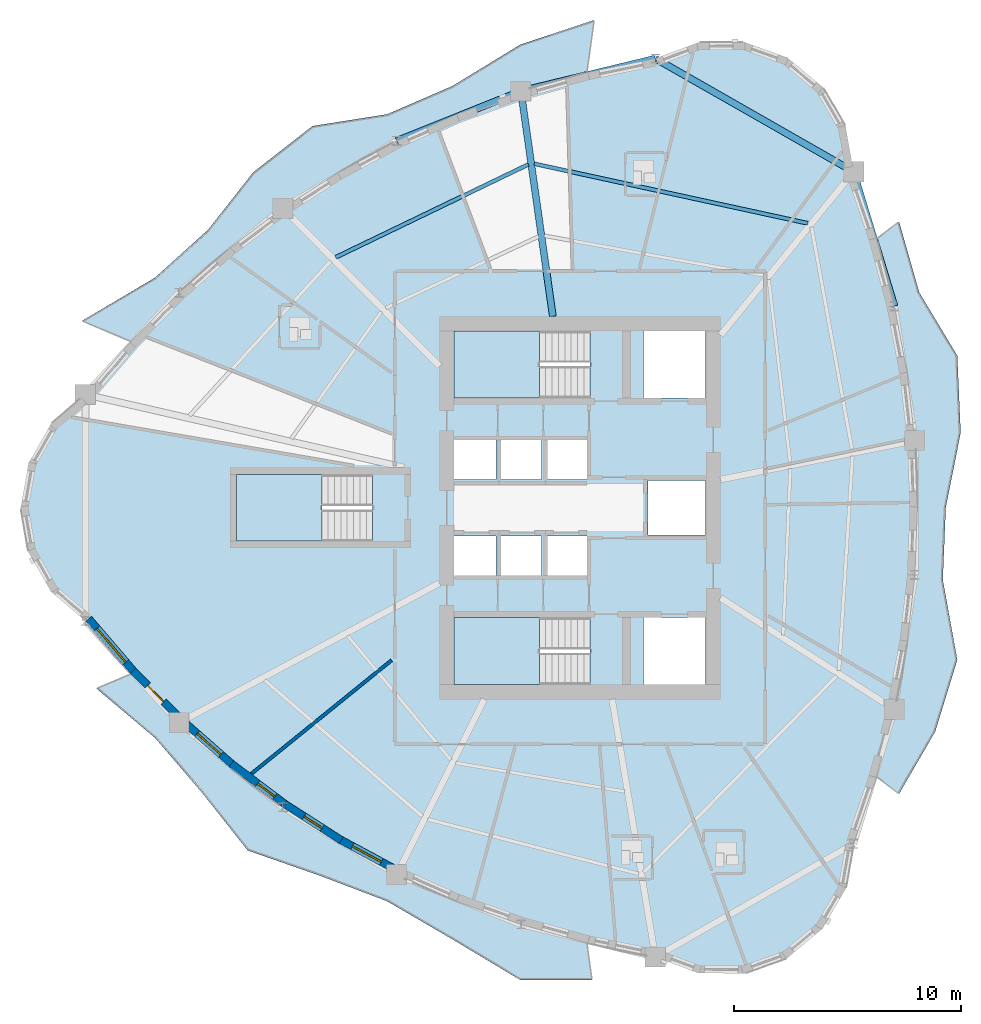
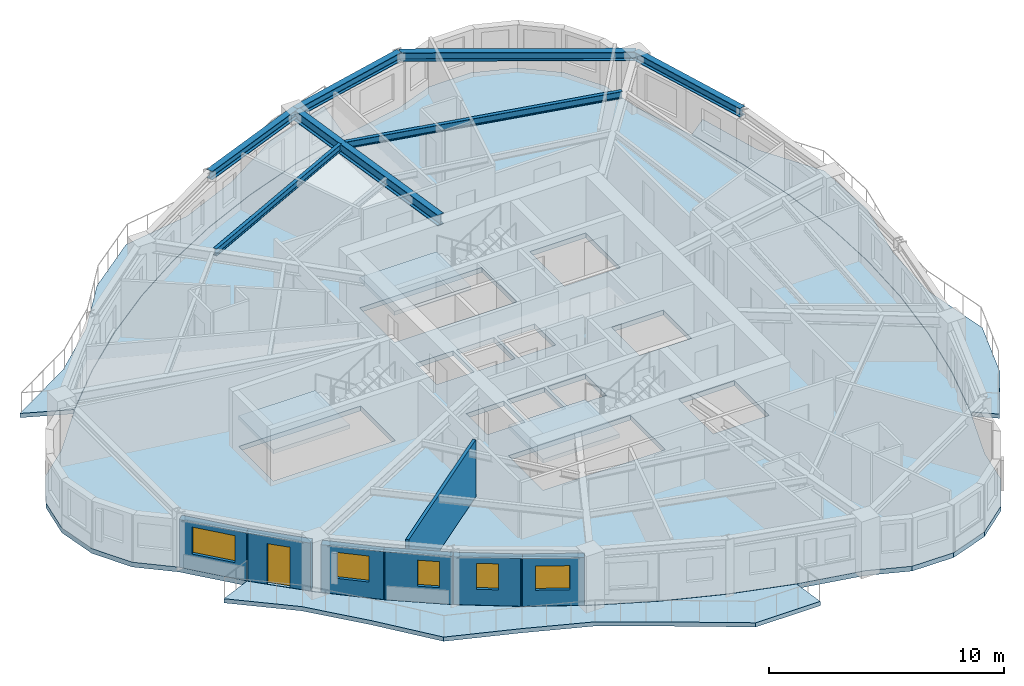
# One storey, part 2 of 12: 7 beams, 7 slabs, 7 walls, 5 windows, 1 door, 6 openings, 3 elements without a shape of their own.
"""IFC4 building model written with IfcOpenShell, lengths in metres."""

from ifc_helpers import new_model, si_unit, direction, frame, frame_2d, origin, origin_2d, place, context, subcontext, project, spatial, polyline, rectangle, i_section, outline, extrude, source, transform, mapped, material, layer, layer_set, material_profile, profile_set, type_object, element, fill, aggregate, save


model = new_model("IFC4")

# Units and contexts
model_context = context("Model", 3, precision=1e-05, world=origin(), true_north=direction((0.0, 1.0)))
body_context = subcontext(model_context, "Body", "Model", "MODEL_VIEW")
ifc_project = project(units=[si_unit("LENGTHUNIT", "METRE"), si_unit("AREAUNIT", "SQUARE_METRE"), si_unit("VOLUMEUNIT", "CUBIC_METRE"), si_unit("PLANEANGLEUNIT", "RADIAN"), si_unit("MASSUNIT", "GRAM", prefix="KILO")], contexts=[model_context])

# Site, building, storey
site_placement = place(None, origin())
site = spatial("IfcSite", under=ifc_project, at=site_placement, CompositionType="ELEMENT")
building_placement = place(site_placement, origin())
building = spatial("IfcBuilding", under=site, at=building_placement, Name="Qafzar Sky-Pleat Residences", CompositionType="ELEMENT")
storey_placement = place(building_placement, frame((0.0, 0.0, 121.60009765625)))
storey = spatial("IfcBuildingStorey", under=building, at=storey_placement, Name="L36", CompositionType="ELEMENT", Elevation=121.60009765625)

# Beams
ifc_material_1 = material(Name="Steel S355", Category="steel")
ifc_material_profile_1 = material_profile(ifc_material_1, i_section(OverallWidth=0.300048828125, OverallDepth=0.449951171875, WebThickness=0.013916015625, FlangeThickness=0.02587890625, FilletRadius=0.027099609375, at=origin_2d()), Name="HEB 450")
ifc_profile_set_1 = profile_set([ifc_material_profile_1], Name="Steel S355")
beam_type_1 = type_object("IfcBeamType", Name="BM-SPAN-HEB450", PredefinedType="SPANDREL", material=ifc_profile_set_1)
shared_shape_1 = source(origin(), body_context, "Body", "SweptSolid", [
    extrude(i_section(OverallWidth=0.300048828125, OverallDepth=0.449951171875, WebThickness=0.013916015625, FlangeThickness=0.02587890625, FilletRadius=0.027099609375, at=origin_2d()), origin(), (0.0, 0.0, 1.0), 6.1025390625),
])
beam_1_placement = place(storey_placement, frame((33.6767578125, 45.82373046875, 2.722900390625), z_axis=(-0.971900047669, -0.235393919506, 0.0), x_axis=(0.235393919506, -0.971900047669, 0.0)))
element("IfcBeam", 1, at=beam_1_placement, inside=storey, type_object=beam_type_1, Name="L36 Perimeter Spandrel Beam 14", PredefinedType="SPANDREL", context=body_context, shape_type="MappedRepresentation", body=[
    mapped(shared_shape_1, transform((0.0, 0.0, 0.0), x_axis=(1.0, 0.0, 0.0), y_axis=(0.0, 1.0, 0.0), z_axis=(0.0, 0.0, 1.0), scale=1.0)),
])
shared_shape_2 = source(origin(), body_context, "Body", "SweptSolid", [
    extrude(i_section(OverallWidth=0.300048828125, OverallDepth=0.449951171875, WebThickness=0.013916015625, FlangeThickness=0.02587890625, FilletRadius=0.027099609375, at=origin_2d()), origin(), (0.0, 0.0, 1.0), 5.906005859375),
])
beam_2_placement = place(storey_placement, frame((27.74560546875, 44.38720703125, 2.722900390625), z_axis=(-0.927965498351, -0.372666115807, 0.0), x_axis=(0.372666115807, -0.927965498351, 0.0)))
element("IfcBeam", 2, at=beam_2_placement, inside=storey, type_object=beam_type_1, Name="L36 Perimeter Spandrel Beam 15", PredefinedType="SPANDREL", context=body_context, shape_type="MappedRepresentation", body=[
    mapped(shared_shape_2, transform((0.0, 0.0, 0.0), x_axis=(1.0, 0.0, 0.0), y_axis=(0.0, 1.0, 0.0), z_axis=(0.0, 0.0, 1.0), scale=1.0)),
])
shared_shape_3 = source(origin(), body_context, "Body", "SweptSolid", [
    extrude(i_section(OverallWidth=0.300048828125, OverallDepth=0.449951171875, WebThickness=0.013916015625, FlangeThickness=0.02587890625, FilletRadius=0.027099609375, at=origin_2d()), origin(), (0.0, 0.0, 1.0), 10.072265625),
])
beam_3_placement = place(storey_placement, frame((42.422607421875, 40.82763671875, 2.722900390625), z_axis=(-0.868308765909, 0.496024079099, 0.0), x_axis=(-0.496024079099, -0.868308765909, 0.0)))
element("IfcBeam", 3, at=beam_3_placement, inside=storey, type_object=beam_type_1, Name="L36 Perimeter Spandrel Beam 13", PredefinedType="SPANDREL", context=body_context, shape_type="MappedRepresentation", body=[
    mapped(shared_shape_3, transform((0.0, 0.0, 0.0), x_axis=(1.0, 0.0, 0.0), y_axis=(0.0, 1.0, 0.0), z_axis=(0.0, 0.0, 1.0), scale=1.0)),
])
shared_shape_4 = source(origin(), body_context, "Body", "SweptSolid", [
    extrude(i_section(OverallWidth=0.300048828125, OverallDepth=0.449951171875, WebThickness=0.013916015625, FlangeThickness=0.02587890625, FilletRadius=0.027099609375, at=origin_2d()), origin(), (0.0, 0.0, 1.0), 6.19921875),
])
beam_4_placement = place(storey_placement, frame((44.2255859375, 34.896484375, 2.722900390625), z_axis=(-0.290843469518, 0.956770649758, 0.0), x_axis=(-0.956770649758, -0.290843469518, 0.0)))
element("IfcBeam", 4, at=beam_4_placement, inside=storey, type_object=beam_type_1, Name="L36 Perimeter Spandrel Beam 12", PredefinedType="SPANDREL", context=body_context, shape_type="MappedRepresentation", body=[
    mapped(shared_shape_4, transform((0.0, 0.0, 0.0), x_axis=(1.0, 0.0, 0.0), y_axis=(0.0, 1.0, 0.0), z_axis=(0.0, 0.0, 1.0), scale=1.0)),
])
ifc_material_profile_2 = material_profile(ifc_material_1, i_section(OverallWidth=0.300048828125, OverallDepth=0.550048828125, WebThickness=0.014892578125, FlangeThickness=0.029052734375, FilletRadius=0.027099609375, at=origin_2d()), Name="HEB 550")
ifc_profile_set_2 = profile_set([ifc_material_profile_2], Name="Steel S355")
beam_type_2 = type_object("IfcBeamType", Name="BM-GIRD-HEB550", PredefinedType="BEAM", material=ifc_profile_set_2)
shared_shape_5 = source(origin(), body_context, "Body", "SweptSolid", [
    extrude(i_section(OverallWidth=0.300048828125, OverallDepth=0.550048828125, WebThickness=0.014892578125, FlangeThickness=0.029052734375, FilletRadius=0.027099609375, at=origin_2d()), origin(), (0.0, 0.0, 1.0), 10.036376953125),
])
beam_5_placement = place(storey_placement, frame((27.74560546875, 44.38720703125, 2.6728515625), z_axis=(0.14023611981, -0.99011808927, 0.0), x_axis=(0.99011808927, 0.14023611981, 0.0)))
element("IfcBeam", 5, at=beam_5_placement, inside=storey, type_object=beam_type_2, Name="L36 Radial Floor Girder 15", PredefinedType="BEAM", context=body_context, shape_type="MappedRepresentation", body=[
    mapped(shared_shape_5, transform((0.0, 0.0, 0.0), x_axis=(1.0, 0.0, 0.0), y_axis=(0.0, 1.0, 0.0), z_axis=(0.0, 0.0, 1.0), scale=1.0)),
])
ifc_material_profile_3 = material_profile(ifc_material_1, i_section(OverallWidth=0.169921875, OverallDepth=0.360107421875, WebThickness=0.008056640625, FlangeThickness=0.0126953125, FilletRadius=0.01806640625, at=origin_2d()), Name="IPE 360")
ifc_profile_set_3 = profile_set([ifc_material_profile_3], Name="Steel S355")
beam_type_3 = type_object("IfcBeamType", Name="BM-JST-IPE360", PredefinedType="JOIST", material=ifc_profile_set_3)
shared_shape_6 = source(origin(), body_context, "Body", "SweptSolid", [
    extrude(i_section(OverallWidth=0.169921875, OverallDepth=0.360107421875, WebThickness=0.008056640625, FlangeThickness=0.0126953125, FilletRadius=0.01806640625, at=origin_2d()), origin(), (0.0, 0.0, 1.0), 12.366455078125),
])
beam_6_placement = place(storey_placement, frame((40.411376953125, 38.54833984375, 2.767822265625), z_axis=(-0.977117170905, 0.212701749694, 0.0), x_axis=(-0.212701749694, -0.977117170905, 0.0)))
element("IfcBeam", 6, at=beam_6_placement, inside=storey, type_object=beam_type_3, Name="L36 Outer Secondary Floor Joist 7", PredefinedType="JOIST", context=body_context, shape_type="MappedRepresentation", body=[
    mapped(shared_shape_6, transform((0.0, 0.0, 0.0), x_axis=(1.0, 0.0, 0.0), y_axis=(0.0, 1.0, 0.0), z_axis=(0.0, 0.0, 1.0), scale=1.0)),
])
shared_shape_7 = source(origin(), body_context, "Body", "SweptSolid", [
    extrude(i_section(OverallWidth=0.169921875, OverallDepth=0.360107421875, WebThickness=0.008056640625, FlangeThickness=0.0126953125, FilletRadius=0.01806640625, at=origin_2d()), origin(), (0.0, 0.0, 1.0), 9.441162109375),
])
beam_7_placement = place(storey_placement, frame((28.07421875, 41.148681640625, 2.767822265625), z_axis=(-0.900788551734, -0.43425797064, 0.0), x_axis=(0.43425797064, -0.900788551734, 0.0)))
element("IfcBeam", 7, at=beam_7_placement, inside=storey, type_object=beam_type_3, Name="L36 Outer Secondary Floor Joist 8", PredefinedType="JOIST", context=body_context, shape_type="MappedRepresentation", body=[
    mapped(shared_shape_7, transform((0.0, 0.0, 0.0), x_axis=(1.0, 0.0, 0.0), y_axis=(0.0, 1.0, 0.0), z_axis=(0.0, 0.0, 1.0), scale=1.0)),
])

# Slabs
ifc_material_2 = material(Name="Concrete C40/50", Category="concrete")
ifc_layer_1 = layer(ifc_material_2, 0.219970703125)
ifc_layer_set_1 = layer_set([ifc_layer_1], Name="Concrete C40/50")
slab_type_1 = type_object("IfcSlabType", Name="SLAB-BAL-220", PredefinedType="USERDEFINED", material=ifc_layer_set_1)
slab_1_placement = place(storey_placement, frame((0.0, 0.0, -0.22021484375)))
element("IfcSlab", 8, at=slab_1_placement, inside=storey, type_object=slab_type_1, Name="L36 Pleated Stone Balcony 1", ObjectType="BALCONY", PredefinedType="USERDEFINED", context=body_context, shape_type="SweptSolid", body=[
    extrude(outline(polyline([(44.236083984375, 17.09765625), (44.80029296875, 20.06494140625), (45.138916015625, 23.032470703125), (45.251708984375, 26.0), (45.138916015625, 28.967529296875), (44.80029296875, 31.93505859375), (44.236083984375, 34.90234375), (43.4462890625, 37.869384765625), (44.427978515625, 38.623779296875), (45.321533203125, 35.49755859375), (46.998046875, 32.71142578125), (47.14697265625, 29.315185546875), (46.48974609375, 26.0), (46.35888671875, 22.8212890625), (46.998046875, 19.28857421875), (46.02294921875, 16.117919921875), (44.427978515625, 13.376220703125), (43.4462890625, 14.130615234375), (44.236083984375, 17.09765625)])), origin(), (0.0, 0.0, 1.0), 0.22021484375),
])
slab_2_placement = place(storey_placement, frame((0.0, 0.0, -0.22021484375)))
element("IfcSlab", 9, at=slab_2_placement, inside=storey, type_object=slab_type_1, Name="L36 Pleated Stone Balcony 2", ObjectType="BALCONY", PredefinedType="USERDEFINED", context=body_context, shape_type="SweptSolid", body=[
    extrude(outline(polyline([(27.745361328125, 44.3994140625), (24.947021484375, 43.394287109375), (22.26123046875, 42.197509765625), (19.68798828125, 40.8095703125), (17.22802734375, 39.22998046875), (14.880859375, 37.459228515625), (12.646484375, 35.4970703125), (10.525390625, 33.343505859375), (8.376708984375, 34.24658203125), (11.59375, 36.148193359375), (13.948486328125, 38.273681640625), (15.94140625, 40.810546875), (18.54736328125, 42.842041015625), (21.847900390625, 43.364501953125), (24.73291015625, 44.613525390625), (27.717041015625, 46.43701171875), (30.9755859375, 47.521728515625), (30.656494140625, 45.212890625), (27.745361328125, 44.3994140625)])), origin(), (0.0, 0.0, 1.0), 0.22021484375),
])
slab_3_placement = place(storey_placement, frame((0.0, 0.0, -0.22021484375)))
element("IfcSlab", 10, at=slab_3_placement, inside=storey, type_object=slab_type_1, Name="L36 Pleated Stone Balcony 3", ObjectType="BALCONY", PredefinedType="USERDEFINED", context=body_context, shape_type="SweptSolid", body=[
    extrude(outline(polyline([(12.646484375, 16.5029296875), (14.880859375, 14.540771484375), (17.22802734375, 12.77001953125), (19.68798828125, 11.1904296875), (22.26123046875, 9.802490234375), (24.947021484375, 8.605712890625), (27.745361328125, 7.6005859375), (30.656494140625, 6.787109375), (30.880859375, 5.164306640625), (27.711669921875, 5.162841796875), (24.663818359375, 6.992431640625), (21.847900390625, 8.635498046875), (18.886474609375, 9.761962890625), (15.688720703125, 10.87939453125), (13.647216796875, 13.463134765625), (11.59375, 15.851806640625), (9.015380859375, 18.021728515625), (10.525390625, 18.656494140625), (12.646484375, 16.5029296875)])), origin(), (0.0, 0.0, 1.0), 0.22021484375),
])
ifc_layer_2 = layer(ifc_material_2, 0.25)
ifc_layer_set_2 = layer_set([ifc_layer_2], Name="Concrete C40/50")
slab_type_2 = type_object("IfcSlabType", Name="SLAB-FLR-250", PredefinedType="FLOOR", material=ifc_layer_set_2)
slab_4_placement = place(storey_placement, frame((0.0, 0.0, -0.25)))
element("IfcSlab", 11, at=slab_4_placement, inside=storey, type_object=slab_type_2, Name="L36 Structural Floor Slab", PredefinedType="FLOOR", context=body_context, shape_type="SweptSolid", body=[
    extrude(outline(polyline([(8.52880859375, 30.99609375), (7.0087890625, 29.700927734375), (6.018310546875, 27.967041015625), (5.674560546875, 26.0), (6.018310546875, 24.032958984375), (7.0087890625, 22.299072265625), (8.52880859375, 21.00390625), (10.536376953125, 18.660888671875), (12.65673828125, 16.50927734375), (14.889892578125, 14.548583984375), (17.235595703125, 12.779296875), (19.694091796875, 11.200927734375), (22.26513671875, 9.813720703125), (24.948974609375, 8.61767578125), (27.74560546875, 7.61279296875), (30.65478515625, 6.798828125), (33.6767578125, 6.17626953125), (35.57177734375, 5.46826171875), (37.5947265625, 5.45458984375), (39.49951171875, 6.13623046875), (41.05419921875, 7.4306640625), (42.069580078125, 9.180419921875), (42.422607421875, 11.17236328125), (43.436767578125, 14.137939453125), (44.2255859375, 17.103515625), (44.7890625, 20.06884765625), (45.127197265625, 23.034423828125), (45.23974609375, 26.0), (45.127197265625, 28.965576171875), (44.7890625, 31.93115234375), (44.2255859375, 34.896484375), (43.436767578125, 37.862060546875), (42.422607421875, 40.82763671875), (42.069580078125, 42.819580078125), (41.05419921875, 44.5693359375), (39.49951171875, 45.86376953125), (37.5947265625, 46.54541015625), (35.57177734375, 46.53173828125), (33.6767578125, 45.82373046875), (30.65478515625, 45.201171875), (27.74560546875, 44.38720703125), (24.948974609375, 43.38232421875), (22.26513671875, 42.186279296875), (19.694091796875, 40.799072265625), (17.235595703125, 39.220703125), (14.889892578125, 37.451416015625), (12.65673828125, 35.49072265625), (10.536376953125, 33.339111328125), (8.52880859375, 30.99609375)]), holes=[polyline([(30.797119140625, 21.14990234375), (24.800048828125, 21.14990234375), (24.800048828125, 18.199951171875), (30.797119140625, 18.199951171875), (30.797119140625, 21.14990234375)]), polyline([(30.797119140625, 33.800048828125), (24.800048828125, 33.800048828125), (24.800048828125, 30.85009765625), (30.797119140625, 30.85009765625), (30.797119140625, 33.800048828125)]), polyline([(21.197021484375, 27.47509765625), (15.199951171875, 27.47509765625), (15.199951171875, 24.52490234375), (21.197021484375, 24.52490234375), (21.197021484375, 27.47509765625)]), polyline([(24.800048828125, 22.949951171875), (26.64990234375, 22.949951171875), (26.64990234375, 24.75), (24.800048828125, 24.75), (24.800048828125, 22.949951171875)]), polyline([(26.800048828125, 22.949951171875), (28.64990234375, 22.949951171875), (28.64990234375, 24.75), (26.800048828125, 24.75), (26.800048828125, 22.949951171875)]), polyline([(28.800048828125, 22.949951171875), (30.64990234375, 22.949951171875), (30.64990234375, 24.75), (28.800048828125, 24.75), (28.800048828125, 22.949951171875)]), polyline([(24.800048828125, 27.25), (26.64990234375, 27.25), (26.64990234375, 29.050048828125), (24.800048828125, 29.050048828125), (24.800048828125, 27.25)]), polyline([(26.800048828125, 27.25), (28.64990234375, 27.25), (28.64990234375, 29.050048828125), (26.800048828125, 29.050048828125), (26.800048828125, 27.25)]), polyline([(28.800048828125, 27.25), (30.64990234375, 27.25), (30.64990234375, 29.050048828125), (28.800048828125, 29.050048828125), (28.800048828125, 27.25)]), polyline([(33.14990234375, 18.199951171875), (35.89990234375, 18.199951171875), (35.89990234375, 21.14990234375), (33.14990234375, 21.14990234375), (33.14990234375, 18.199951171875)]), polyline([(33.14990234375, 30.85009765625), (35.89990234375, 30.85009765625), (35.89990234375, 33.800048828125), (33.14990234375, 33.800048828125), (33.14990234375, 30.85009765625)]), polyline([(33.35009765625, 24.800048828125), (35.89990234375, 24.800048828125), (35.89990234375, 27.199951171875), (33.35009765625, 27.199951171875), (33.35009765625, 24.800048828125)])]), origin(), (0.0, 0.0, 1.0), 0.25),
])

# Stair, slab
stair_type = type_object("IfcStairType", Name="STAIR-H320", PredefinedType="HALF_TURN_STAIR", material=ifc_material_2)
stair_1_placement = place(storey_placement, origin())
stair_1 = element("IfcStair", 12, at=stair_1_placement, inside=storey, type_object=stair_type, Name="L36 Protected Exit Stair ST1", PredefinedType="HALF_TURN_STAIR")
ifc_layer_3 = layer(ifc_material_2, 0.199951171875)
ifc_layer_set_3 = layer_set([ifc_layer_3], Name="Concrete C40/50")
slab_type_3 = type_object("IfcSlabType", Name="SLAB-LANDING-200", PredefinedType="LANDING", material=ifc_layer_set_3)
slab_5_placement = place(storey_placement, frame((0.0, 0.0, 1.39990234375)))
slab_5 = element("IfcSlab", 13, at=slab_5_placement, type_object=slab_type_3, Name="ST1 landing 1", PredefinedType="LANDING", context=body_context, shape_type="SweptSolid", body=[
    extrude(outline(polyline([(28.56005859375, 21.14990234375), (24.800048828125, 21.14990234375), (24.800048828125, 18.199951171875), (28.56005859375, 18.199951171875), (28.56005859375, 21.14990234375)])), origin(), (0.0, 0.0, 1.0), 0.199951171875),
])
aggregate(stair_1, [slab_5])

stair_2_placement = place(storey_placement, origin())
stair_2 = element("IfcStair", 14, at=stair_2_placement, inside=storey, type_object=stair_type, Name="L36 Protected Exit Stair ST2", PredefinedType="HALF_TURN_STAIR")
slab_6_placement = place(storey_placement, frame((0.0, 0.0, 1.39990234375)))
slab_6 = element("IfcSlab", 15, at=slab_6_placement, type_object=slab_type_3, Name="ST2 landing 1", PredefinedType="LANDING", context=body_context, shape_type="SweptSolid", body=[
    extrude(outline(polyline([(28.56005859375, 33.800048828125), (24.800048828125, 33.800048828125), (24.800048828125, 30.85009765625), (28.56005859375, 30.85009765625), (28.56005859375, 33.800048828125)])), origin(), (0.0, 0.0, 1.0), 0.199951171875),
])
aggregate(stair_2, [slab_6])

stair_3_placement = place(storey_placement, origin())
stair_3 = element("IfcStair", 16, at=stair_3_placement, inside=storey, type_object=stair_type, Name="L36 Protected Exit Stair ST3", PredefinedType="HALF_TURN_STAIR")
slab_7_placement = place(storey_placement, frame((0.0, 0.0, 1.39990234375)))
slab_7 = element("IfcSlab", 17, at=slab_7_placement, type_object=slab_type_3, Name="ST3 landing 1", PredefinedType="LANDING", context=body_context, shape_type="SweptSolid", body=[
    extrude(outline(polyline([(18.9599609375, 27.47509765625), (15.199951171875, 27.47509765625), (15.199951171875, 24.52490234375), (18.9599609375, 24.52490234375), (18.9599609375, 27.47509765625)])), origin(), (0.0, 0.0, 1.0), 0.199951171875),
])
aggregate(stair_3, [slab_7])

# Wall
ifc_material_3 = material(Name="Acoustic gypsum plasterboard partition", Category="gypsum")
ifc_layer_4 = layer(ifc_material_3, 0.14501953125)
ifc_layer_set_4 = layer_set([ifc_layer_4], Name="Acoustic gypsum plasterboard partition")
wall_type_1 = type_object("IfcWallType", Name="PART-UNIT-145", PredefinedType="PARTITIONING", material=ifc_layer_set_4)
wall_1_placement = place(storey_placement, frame((15.86328125, 14.27197265625, 0.0), z_axis=(0.0, 0.0, 1.0), x_axis=(0.77720694169, 0.629245079273, 0.0)))
element("IfcWall", 18, at=wall_1_placement, inside=storey, type_object=wall_type_1, Name="L36 Partition Wall PART-L36-PW-025", PredefinedType="PARTITIONING", context=body_context, shape_type="SweptSolid", body=[
    extrude(rectangle(XDim=7.94482421875, YDim=0.14501953125, at=frame_2d((3.972412109375, 0.0))), origin(), (0.0, 0.0, 1.0), 2.949951171875),
])

# Wall, opening, window
ifc_material_4 = material(Name="Precast concrete C40/50 with honed Riyadh limestone", Category="concrete")
ifc_layer_5 = layer(ifc_material_4, 0.340087890625)
ifc_layer_set_5 = layer_set([ifc_layer_5], Name="Precast concrete C40/50 with honed Riyadh limestone")
wall_type_2 = type_object("IfcWallType", Name="WALL-EXT-340", PredefinedType="SOLIDWALL", material=ifc_layer_set_5)
wall_2_placement = place(storey_placement, frame((8.6708984375, 21.09912109375, 0.0), z_axis=(0.0, 0.0, 1.0), x_axis=(0.65073305839, -0.759306582823, 0.0)))
wall_2 = element("IfcWall", 19, at=wall_2_placement, inside=storey, type_object=wall_type_2, Name="L36 Limestone Facade Wall 7", PredefinedType="SOLIDWALL", context=body_context, shape_type="SweptSolid", body=[
    extrude(rectangle(XDim=3.10302734375, YDim=0.340087890625, at=frame_2d((1.551513671875, 0.0))), origin(), (0.0, 0.0, 1.0), 2.47998046875),
])
opening_1_placement = place(wall_2_placement, frame((0.566650390625, 0.0, 0.820068359375)))
opening_1 = element("IfcOpeningElement", 20, at=opening_1_placement, cuts=wall_2, Name="Opening WN-08", PredefinedType="OPENING", context=body_context, shape_type="SweptSolid", body=[
    extrude(rectangle(XDim=1.949951171875, YDim=1.39990234375, at=frame_2d((0.97509765625, 0.699951171875))), frame((0.0, 0.18017578125, 0.0), z_axis=(0.0, -1.0, 0.0), x_axis=(1.0, 0.0, 0.0)), (0.0, 0.0, 1.0), 0.360107421875),
])
ifc_material_5 = material(Name="Solar-control low-E glass in bronze aluminium frame", Category="glass")
window_type_1 = type_object("IfcWindowType", Name="WIN-08", PartitioningType="DOUBLE_PANEL_VERTICAL", PredefinedType="WINDOW", material=ifc_material_5)
shared_shape_8 = source(origin(), body_context, "Body", "SweptSolid", [
    extrude(rectangle(XDim=1.949951171875, YDim=1.39990234375, at=frame_2d((0.97509765625, 0.699951171875))), frame((0.0, 0.030029296875, 0.0), z_axis=(0.0, -1.0, 0.0), x_axis=(1.0, 0.0, 0.0)), (0.0, 0.0, 1.0), 0.06005859375),
])
window_1_placement = place(opening_1_placement, origin())
window_1 = element("IfcWindow", 21, at=window_1_placement, inside=storey, type_object=window_type_1, Name="L36 Punched Facade Window 07", OverallHeight=1.39990234375, OverallWidth=1.949951171875, PartitioningType="SINGLE_PANEL", PredefinedType="WINDOW", context=body_context, shape_type="MappedRepresentation", body=[
    mapped(shared_shape_8, transform((0.0, 0.0, 0.0), x_axis=(1.0, 0.0, 0.0), y_axis=(0.0, 1.0, 0.0), z_axis=(0.0, 0.0, 1.0), scale=1.0)),
])
fill(opening_1, window_1)

# Wall, opening, door
wall_3_placement = place(storey_placement, frame((10.630859375, 18.807373046875, 0.0), z_axis=(0.0, 0.0, 1.0), x_axis=(0.701909586733, -0.712266054261, 0.0)))
wall_3 = element("IfcWall", 22, at=wall_3_placement, inside=storey, type_object=wall_type_2, Name="L36 Limestone Facade Wall 8", PredefinedType="SOLIDWALL", context=body_context, shape_type="SweptSolid", body=[
    extrude(rectangle(XDim=2.828857421875, YDim=0.340087890625, at=frame_2d((1.41455078125, 0.0))), origin(), (0.0, 0.0, 1.0), 2.47998046875),
])
opening_2_placement = place(wall_3_placement, frame((0.91455078125, 0.0, 0.0)))
opening_2 = element("IfcOpeningElement", 23, at=opening_2_placement, cuts=wall_3, Name="Opening ED-05", PredefinedType="OPENING", context=body_context, shape_type="SweptSolid", body=[
    extrude(rectangle(XDim=1.0, YDim=2.10009765625, at=frame_2d((0.5, 1.050048828125))), frame((0.0, 0.18017578125, 0.0), z_axis=(0.0, -1.0, 0.0), x_axis=(1.0, 0.0, 0.0)), (0.0, 0.0, 1.0), 0.360107421875),
])
ifc_material_6 = material(Name="Glazed bronze aluminium door", Category="aluminium")
door_type = type_object("IfcDoorType", Name="DR-BAL-1000", OperationType="NOTDEFINED", PredefinedType="DOOR", material=ifc_material_6)
shared_shape_9 = source(origin(), body_context, "Body", "SweptSolid", [
    extrude(rectangle(XDim=1.0, YDim=2.10009765625, at=frame_2d((0.5, 1.050048828125))), frame((0.0, 0.02490234375, 0.0), z_axis=(0.0, -1.0, 0.0), x_axis=(1.0, 0.0, 0.0)), (0.0, 0.0, 1.0), 0.050048828125),
])
door_placement = place(opening_2_placement, origin())
door = element("IfcDoor", 24, at=door_placement, inside=storey, type_object=door_type, Name="L36 Glazed Balcony Door 3", OperationType="SINGLE_SWING_LEFT", OverallHeight=2.10009765625, OverallWidth=1.0, PredefinedType="DOOR", context=body_context, shape_type="MappedRepresentation", body=[
    mapped(shared_shape_9, transform((0.0, 0.0, 0.0), x_axis=(1.0, 0.0, 0.0), y_axis=(0.0, 1.0, 0.0), z_axis=(0.0, 0.0, 1.0), scale=1.0)),
])
fill(opening_2, door)

# Wall, opening, window
wall_4_placement = place(storey_placement, frame((12.94189453125, 16.4853515625, 0.0), z_axis=(0.0, 0.0, 1.0), x_axis=(0.751427478967, -0.659815689305, 0.0)))
wall_4 = element("IfcWall", 25, at=wall_4_placement, inside=storey, type_object=wall_type_2, Name="L36 Limestone Facade Wall 9", PredefinedType="SOLIDWALL", context=body_context, shape_type="SweptSolid", body=[
    extrude(rectangle(XDim=2.779541015625, YDim=0.340087890625, at=frame_2d((1.3896484375, 0.0))), origin(), (0.0, 0.0, 1.0), 2.47998046875),
])
opening_3_placement = place(wall_4_placement, frame((0.684814453125, 0.0, 0.820068359375)))
opening_3 = element("IfcOpeningElement", 26, at=opening_3_placement, cuts=wall_4, Name="Opening WN-10", PredefinedType="OPENING", context=body_context, shape_type="SweptSolid", body=[
    extrude(rectangle(XDim=1.39990234375, YDim=1.35009765625, at=frame_2d((0.699951171875, 0.675048828125))), frame((0.0, 0.18017578125, 0.0), z_axis=(0.0, -1.0, 0.0), x_axis=(1.0, 0.0, 0.0)), (0.0, 0.0, 1.0), 0.360107421875),
])
window_type_2 = type_object("IfcWindowType", Name="WIN-10", PartitioningType="SINGLE_PANEL", PredefinedType="WINDOW", material=ifc_material_5)
shared_shape_10 = source(origin(), body_context, "Body", "SweptSolid", [
    extrude(rectangle(XDim=1.39990234375, YDim=1.35009765625, at=frame_2d((0.699951171875, 0.675048828125))), frame((0.0, 0.030029296875, 0.0), z_axis=(0.0, -1.0, 0.0), x_axis=(1.0, 0.0, 0.0)), (0.0, 0.0, 1.0), 0.06005859375),
])
window_2_placement = place(opening_3_placement, origin())
window_2 = element("IfcWindow", 27, at=window_2_placement, inside=storey, type_object=window_type_2, Name="L36 Punched Facade Window 09", OverallHeight=1.35009765625, OverallWidth=1.39990234375, PartitioningType="SINGLE_PANEL", PredefinedType="WINDOW", context=body_context, shape_type="MappedRepresentation", body=[
    mapped(shared_shape_10, transform((0.0, 0.0, 0.0), x_axis=(1.0, 0.0, 0.0), y_axis=(0.0, 1.0, 0.0), z_axis=(0.0, 0.0, 1.0), scale=1.0)),
])
fill(opening_3, window_2)

wall_5_placement = place(storey_placement, frame((14.9619140625, 14.707275390625, 0.0), z_axis=(0.0, 0.0, 1.0), x_axis=(0.798341968257, -0.602204368732, 0.0)))
wall_5 = element("IfcWall", 28, at=wall_5_placement, inside=storey, type_object=wall_type_2, Name="L36 Limestone Facade Wall 10", PredefinedType="SOLIDWALL", context=body_context, shape_type="SweptSolid", body=[
    extrude(rectangle(XDim=2.956298828125, YDim=0.340087890625, at=frame_2d((1.47802734375, 0.0))), origin(), (0.0, 0.0, 1.0), 2.47998046875),
])
opening_4_placement = place(wall_5_placement, frame((1.459716796875, 0.0, 0.820068359375)))
opening_4 = element("IfcOpeningElement", 29, at=opening_4_placement, cuts=wall_5, Name="Opening WN-12", PredefinedType="OPENING", context=body_context, shape_type="SweptSolid", body=[
    extrude(rectangle(XDim=0.949951171875, YDim=1.35009765625, at=frame_2d((0.47509765625, 0.675048828125))), frame((0.0, 0.18017578125, 0.0), z_axis=(0.0, -1.0, 0.0), x_axis=(1.0, 0.0, 0.0)), (0.0, 0.0, 1.0), 0.360107421875),
])
window_type_3 = type_object("IfcWindowType", Name="WIN-12", PartitioningType="SINGLE_PANEL", PredefinedType="WINDOW", material=ifc_material_5)
shared_shape_11 = source(origin(), body_context, "Body", "SweptSolid", [
    extrude(rectangle(XDim=0.949951171875, YDim=1.35009765625, at=frame_2d((0.47509765625, 0.675048828125))), frame((0.0, 0.030029296875, 0.0), z_axis=(0.0, -1.0, 0.0), x_axis=(1.0, 0.0, 0.0)), (0.0, 0.0, 1.0), 0.06005859375),
])
window_3_placement = place(opening_4_placement, origin())
window_3 = element("IfcWindow", 30, at=window_3_placement, inside=storey, type_object=window_type_3, Name="L36 Punched Facade Window 10-2", OverallHeight=1.35009765625, OverallWidth=0.949951171875, PartitioningType="SINGLE_PANEL", PredefinedType="WINDOW", context=body_context, shape_type="MappedRepresentation", body=[
    mapped(shared_shape_11, transform((0.0, 0.0, 0.0), x_axis=(1.0, 0.0, 0.0), y_axis=(0.0, 1.0, 0.0), z_axis=(0.0, 0.0, 1.0), scale=1.0)),
])
fill(opening_4, window_3)

wall_6_placement = place(storey_placement, frame((17.34423828125, 12.91162109375, 0.0), z_axis=(0.0, 0.0, 1.0), x_axis=(0.841496750769, -0.540262175657, 0.0)))
wall_6 = element("IfcWall", 31, at=wall_6_placement, inside=storey, type_object=wall_type_2, Name="L36 Limestone Facade Wall 11", PredefinedType="SOLIDWALL", context=body_context, shape_type="SweptSolid", body=[
    extrude(rectangle(XDim=2.939453125, YDim=0.340087890625, at=frame_2d((1.4697265625, 0.0))), origin(), (0.0, 0.0, 1.0), 2.47998046875),
])
opening_5_placement = place(wall_6_placement, frame((0.984619140625, 0.0, 0.820068359375)))
opening_5 = element("IfcOpeningElement", 32, at=opening_5_placement, cuts=wall_6, Name="Opening WN-12", PredefinedType="OPENING", context=body_context, shape_type="SweptSolid", body=[
    extrude(rectangle(XDim=0.949951171875, YDim=1.35009765625, at=frame_2d((0.47509765625, 0.675048828125))), frame((0.0, 0.18017578125, 0.0), z_axis=(0.0, -1.0, 0.0), x_axis=(1.0, 0.0, 0.0)), (0.0, 0.0, 1.0), 0.360107421875),
])
window_4_placement = place(opening_5_placement, origin())
window_4 = element("IfcWindow", 33, at=window_4_placement, inside=storey, type_object=window_type_3, Name="L36 Punched Facade Window 11", OverallHeight=1.35009765625, OverallWidth=0.949951171875, PartitioningType="SINGLE_PANEL", PredefinedType="WINDOW", context=body_context, shape_type="MappedRepresentation", body=[
    mapped(shared_shape_11, transform((0.0, 0.0, 0.0), x_axis=(1.0, 0.0, 0.0), y_axis=(0.0, 1.0, 0.0), z_axis=(0.0, 0.0, 1.0), scale=1.0)),
])
fill(opening_5, window_4)

wall_7_placement = place(storey_placement, frame((19.7412109375, 11.36865234375, 0.0), z_axis=(0.0, 0.0, 1.0), x_axis=(0.88007734826, -0.474830349788, 0.0)))
wall_7 = element("IfcWall", 34, at=wall_7_placement, inside=storey, type_object=wall_type_2, Name="L36 Limestone Facade Wall 12", PredefinedType="SOLIDWALL", context=body_context, shape_type="SweptSolid", body=[
    extrude(rectangle(XDim=2.729736328125, YDim=0.340087890625, at=frame_2d((1.36474609375, 0.0))), origin(), (0.0, 0.0, 1.0), 2.47998046875),
])
opening_6_placement = place(wall_7_placement, frame((0.644775390625, 0.0, 0.820068359375)))
opening_6 = element("IfcOpeningElement", 35, at=opening_6_placement, cuts=wall_7, Name="Opening WN-15", PredefinedType="OPENING", context=body_context, shape_type="SweptSolid", body=[
    extrude(rectangle(XDim=1.449951171875, YDim=1.25, at=frame_2d((0.72509765625, 0.625))), frame((0.0, 0.18017578125, 0.0), z_axis=(0.0, -1.0, 0.0), x_axis=(1.0, 0.0, 0.0)), (0.0, 0.0, 1.0), 0.360107421875),
])
window_type_4 = type_object("IfcWindowType", Name="WIN-15", PartitioningType="SINGLE_PANEL", PredefinedType="WINDOW", material=ifc_material_5)
shared_shape_12 = source(origin(), body_context, "Body", "SweptSolid", [
    extrude(rectangle(XDim=1.449951171875, YDim=1.25, at=frame_2d((0.72509765625, 0.625))), frame((0.0, 0.030029296875, 0.0), z_axis=(0.0, -1.0, 0.0), x_axis=(1.0, 0.0, 0.0)), (0.0, 0.0, 1.0), 0.06005859375),
])
window_5_placement = place(opening_6_placement, origin())
window_5 = element("IfcWindow", 36, at=window_5_placement, inside=storey, type_object=window_type_4, Name="L36 Punched Facade Window 12", OverallHeight=1.25, OverallWidth=1.449951171875, PartitioningType="SINGLE_PANEL", PredefinedType="WINDOW", context=body_context, shape_type="MappedRepresentation", body=[
    mapped(shared_shape_12, transform((0.0, 0.0, 0.0), x_axis=(1.0, 0.0, 0.0), y_axis=(0.0, 1.0, 0.0), z_axis=(0.0, 0.0, 1.0), scale=1.0)),
])
fill(opening_6, window_5)

save(model, "model.ifc")
